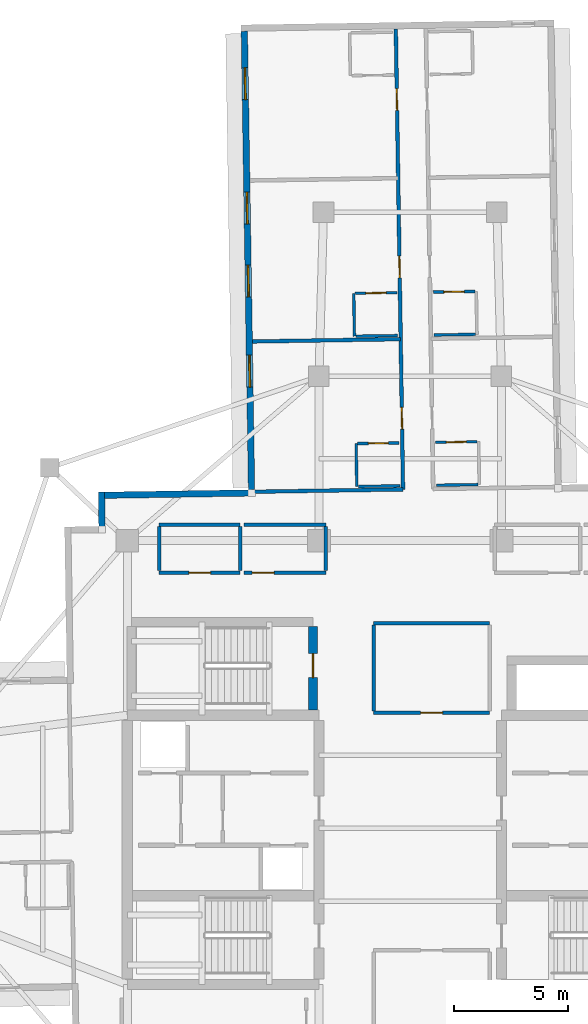
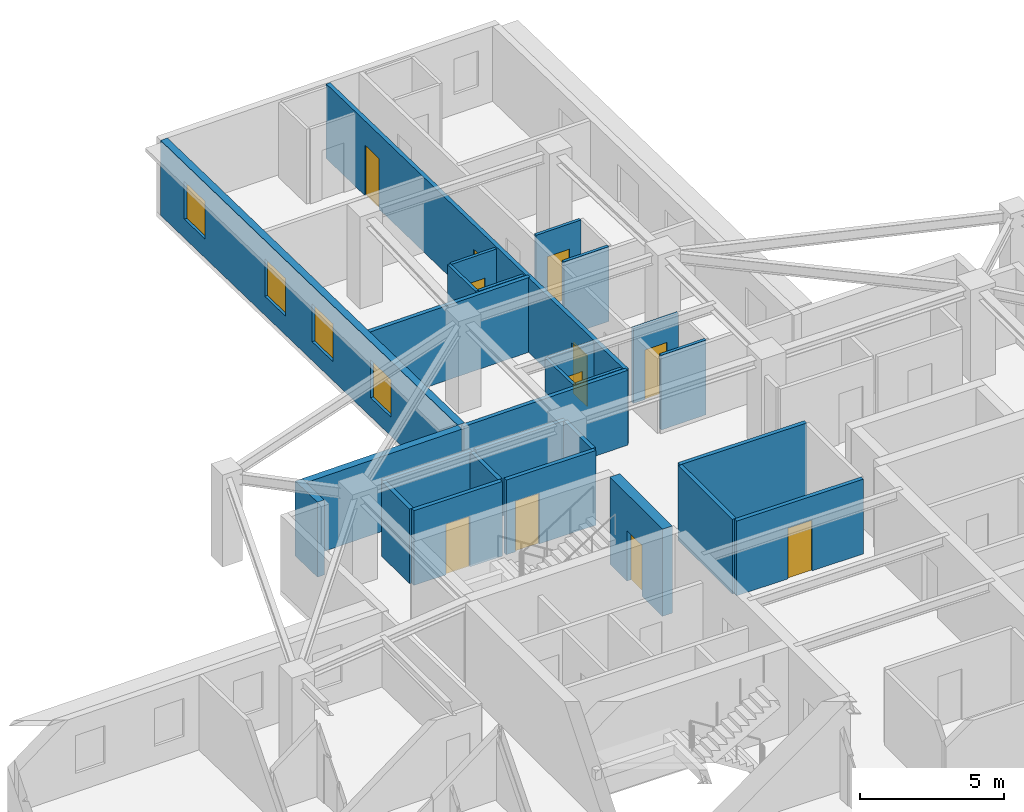
# One storey, part 7 of 13: 27 walls, 11 doors, 4 windows, 15 openings.
"""IFC4 building model written with IfcOpenShell, lengths in metres."""

import ifcopenshell
import ifcopenshell.guid

model = None  # the IFC model being written
_history = None  # IfcOwnerHistory: only IFC2X3 demands one
_inside = {}  # id of a spatial element -> (the spatial element, [elements in it])
_under = {}  # id of a project, library or spatial element -> (it, [spatial elements below it])
_declared = {}  # id of a project -> (the project, [libraries it declares])
_typed = {}  # id of a type object -> (the type object, [elements of that type])
_made_of = {}  # id of a material, layer set ... -> (it, [elements and type objects made of it])


def new_model(schema):
    """Start an empty IFC model of exactly this schema.

    Asked for "IFC4X3", IfcOpenShell would pick the latest addendum, in which some entities
    have other attributes; the version numbers below select the first issue.
    IFC2X3 requires an IfcOwnerHistory on every rooted entity: one is made here for all.
    """
    global model, _history
    if schema == "IFC4X3":
        model = ifcopenshell.file(schema_version=(4, 3, 0, 0))
    else:
        model = ifcopenshell.file(schema=schema)
    _inside.clear()
    _under.clear()
    _declared.clear()
    _typed.clear()
    _made_of.clear()
    _history = None
    if model.schema == "IFC2X3":
        org = make("IfcOrganization", Name="unknown")
        user = make(
            "IfcPersonAndOrganization",
            ThePerson=make("IfcPerson", FamilyName="unknown"),
            TheOrganization=org,
        )
        app = make(
            "IfcApplication",
            ApplicationDeveloper=org,
            Version="unknown",
            ApplicationFullName="unknown",
            ApplicationIdentifier="unknown",
        )
        _history = make(
            "IfcOwnerHistory",
            OwningUser=user,
            OwningApplication=app,
            ChangeAction="ADDED",
            CreationDate=0,
        )
    return model


def make(cls, **values):
    """One entity of the class cls with the attributes given. An attribute that is None is left unset."""
    return model.create_entity(
        cls, **{name: value for name, value in values.items() if value is not None}
    )


def rooted(cls, **values):
    """An entity with a GlobalId (a new one), such as an element, a storey or a relation."""
    return make(cls, GlobalId=ifcopenshell.guid.new(), OwnerHistory=_history, **values)


def si_unit(unit_type, name, prefix=None):
    """IfcSIUnit, for example si_unit("LENGTHUNIT", "METRE", prefix="MILLI")."""
    return make("IfcSIUnit", UnitType=unit_type, Prefix=prefix, Name=name)


def assignment(units):
    """IfcUnitAssignment: the units of a project."""
    return None if units is None else make("IfcUnitAssignment", Units=units)


def point(xyz):
    """IfcCartesianPoint."""
    return None if xyz is None else make("IfcCartesianPoint", Coordinates=xyz)


def direction(xyz):
    """IfcDirection."""
    return None if xyz is None else make("IfcDirection", DirectionRatios=xyz)


def frame(location, z_axis=None, x_axis=None):
    """IfcAxis2Placement3D, a coordinate frame: its origin and axes. An axis left out is left unset."""
    return make(
        "IfcAxis2Placement3D",
        Location=point(location),
        Axis=direction(z_axis),
        RefDirection=direction(x_axis),
    )


def frame_2d(location, x_axis=None):
    """IfcAxis2Placement2D, a coordinate frame in the plane: its origin and x axis."""
    return make(
        "IfcAxis2Placement2D", Location=point(location), RefDirection=direction(x_axis)
    )


def origin():
    """The frame at (0, 0, 0) with its axes left unset."""
    return frame((0.0, 0.0, 0.0))


def place(relative_to, where):
    """IfcLocalPlacement: puts the frame where relative to a parent placement (None: the world)."""
    return make(
        "IfcLocalPlacement", PlacementRelTo=relative_to, RelativePlacement=where
    )


def context(
    kind, dimensions, precision=None, world=None, true_north=None, identifier=None
):
    """IfcGeometricRepresentationContext, for example the 3D "Model" context."""
    return make(
        "IfcGeometricRepresentationContext",
        ContextIdentifier=identifier,
        ContextType=kind,
        CoordinateSpaceDimension=dimensions,
        Precision=precision,
        WorldCoordinateSystem=world,
        TrueNorth=true_north,
    )


def subcontext(parent, identifier, kind, view, scale=None):
    """IfcGeometricRepresentationSubContext, for example "Body" below "Model"."""
    return make(
        "IfcGeometricRepresentationSubContext",
        ContextIdentifier=identifier,
        ContextType=kind,
        ParentContext=parent,
        TargetScale=scale,
        TargetView=view,
    )


def project(units=None, contexts=None):
    """IfcProject with its units and contexts."""
    return rooted(
        "IfcProject",
        Name="project",
        RepresentationContexts=contexts,
        UnitsInContext=assignment(units),
    )


def spatial(cls, under=None, at=None, **own):
    """A site, building, storey or space (cls), placed at a placement, below another one or the project."""
    s = rooted(cls, ObjectPlacement=at, **own)
    if under is not None:
        _under.setdefault(under.id(), (under, []))[1].append(s)
    return s


def profile(cls, at=None, kind="AREA", **sizes):
    """A parametric profile (cls). Its sizes go by their IFC names, for example OverallWidth=200.0."""
    return make(cls, ProfileType=kind, Position=at, **sizes)


def rectangle(**sizes):
    """IfcRectangleProfileDef."""
    return profile("IfcRectangleProfileDef", **sizes)


def extrude(swept, where, along, depth):
    """IfcExtrudedAreaSolid: the profile swept, set in the frame where, extruded along a direction by depth."""
    return make(
        "IfcExtrudedAreaSolid",
        SweptArea=swept,
        Position=where,
        ExtrudedDirection=direction(along),
        Depth=depth,
    )


def shape(context_of_items, identifier, shape_type, items):
    """IfcShapeRepresentation: the items that make up one representation, for example the "Body"."""
    return make(
        "IfcShapeRepresentation",
        ContextOfItems=context_of_items,
        RepresentationIdentifier=identifier,
        RepresentationType=shape_type,
        Items=items,
    )


def material(Name=None, Category=None):
    """IfcMaterial."""
    return make("IfcMaterial", Name=Name, Category=Category)


def layer(
    of_material, thickness, ventilated=None, Name=None, Category=None, Priority=None
):
    """IfcMaterialLayer: one layer of a wall or slab, of a material (None: an air gap)."""
    return make(
        "IfcMaterialLayer",
        Material=of_material,
        LayerThickness=thickness,
        IsVentilated=ventilated,
        Name=Name,
        Category=Category,
        Priority=Priority,
    )


def layer_set(layers, Name=None):
    """IfcMaterialLayerSet."""
    return make("IfcMaterialLayerSet", MaterialLayers=layers, LayerSetName=Name)


def made_of(thing, what):
    """Note that an element or type object is made of a material, layer set ...; save() writes the relation."""
    if what is not None:
        _made_of.setdefault(what.id(), (what, []))[1].append(thing)
    return thing


def type_object(cls, material=None, **own):
    """A type object (cls), such as IfcWallType, which elements share."""
    return made_of(rooted(cls, **own), material)


def element(
    cls,
    number,
    at=None,
    inside=None,
    cuts=None,
    type_object=None,
    material=None,
    context=None,
    identifier="Body",
    shape_type=None,
    held_by="IfcProductDefinitionShape",
    body=None,
    shapes=None,
    **own,
):
    """One element of the class cls, such as IfcWall. Its Tag is "e" and its number.

    at: its placement. inside: the storey or other place that contains it. cuts: it is an
    opening in that element (IfcRelVoidsElement). A single representation is given by context,
    identifier, shape_type and body (its items); several are given by shapes. held_by: the class
    of the entity that holds the representations. save() writes the other relations.
    """
    e = rooted(cls, Tag="e%d" % number, ObjectPlacement=at, **own)
    if body is not None:
        shapes = [shape(context, identifier, shape_type, body)]
    if shapes is not None:
        e.Representation = make(held_by, Representations=shapes)
    if inside is not None:
        _inside.setdefault(inside.id(), (inside, []))[1].append(e)
    if cuts is not None:
        rooted(
            "IfcRelVoidsElement", RelatingBuildingElement=cuts, RelatedOpeningElement=e
        )
    if type_object is not None:
        _typed.setdefault(type_object.id(), (type_object, []))[1].append(e)
    return made_of(e, material)


def fill(opening, filler):
    """IfcRelFillsElement: the door or window that sits in an opening."""
    return rooted(
        "IfcRelFillsElement",
        RelatingOpeningElement=opening,
        RelatedBuildingElement=filler,
    )


def aggregate(whole, parts):
    """IfcRelAggregates: a whole, such as a stair, and the parts it consists of."""
    return rooted("IfcRelAggregates", RelatingObject=whole, RelatedObjects=parts)


def save(model, path):
    """Write the relations noted so far, then the file.

    IfcRelAggregates (storeys below a building ...), IfcRelContainedInSpatialStructure (elements
    in a storey), IfcRelDefinesByType, IfcRelAssociatesMaterial and IfcRelDeclares: one each for
    every whole, place, type object, material and project.
    """
    for whole, parts in _under.values():
        aggregate(whole, parts)
    for where, things in _inside.values():
        rooted(
            "IfcRelContainedInSpatialStructure",
            RelatedElements=things,
            RelatingStructure=where,
        )
    for kind, things in _typed.values():
        rooted("IfcRelDefinesByType", RelatedObjects=things, RelatingType=kind)
    for what, things in _made_of.values():
        rooted("IfcRelAssociatesMaterial", RelatedObjects=things, RelatingMaterial=what)
    for by, libraries in _declared.values():
        rooted("IfcRelDeclares", RelatingContext=by, RelatedDefinitions=libraries)
    model.write(path)


model = new_model("IFC4")

# Units and contexts
model_context = context("Model", 3, precision=1e-05, world=origin(), true_north=direction((0.0, 1.0)))
body_context = subcontext(model_context, "Body", "Model", "MODEL_VIEW")
ifc_project = project(units=[si_unit("LENGTHUNIT", "METRE"), si_unit("AREAUNIT", "SQUARE_METRE"), si_unit("VOLUMEUNIT", "CUBIC_METRE"), si_unit("PLANEANGLEUNIT", "RADIAN"), si_unit("MASSUNIT", "GRAM", prefix="KILO")], contexts=[model_context])

# Site, building, storey
site_placement = place(None, origin())
site = spatial("IfcSite", under=ifc_project, at=site_placement, CompositionType="ELEMENT")
building_placement = place(site_placement, origin())
building = spatial("IfcBuilding", under=site, at=building_placement, Name="Qingluan Cross Belvedere", CompositionType="ELEMENT")
storey_placement = place(building_placement, frame((0.0, 0.0, 220.800048828125)))
storey = spatial("IfcBuildingStorey", under=building, at=storey_placement, Name="L55", CompositionType="ELEMENT", Elevation=220.800048828125)

# Wall, opening, door
ifc_material_1 = material(Name="Concrete C50", Category="concrete")
ifc_layer_1 = layer(ifc_material_1, 0.449951171875, Name="CoreShearWall_450")
ifc_layer_set_1 = layer_set([ifc_layer_1], Name="Concrete C50")
wall_type_1 = type_object("IfcWallType", Name="CoreShearWall_450", PredefinedType="SHEAR", material=ifc_layer_set_1)
wall_1_placement = place(storey_placement, frame((-4.260009765625, 5.179931640625, 0.0), z_axis=(0.0, 0.0, 1.0), x_axis=(0.0, 1.0, 0.0)))
wall_1 = element("IfcWall", 1, at=wall_1_placement, inside=storey, type_object=wall_type_1, Name="Stair ST3 structural wall E L55", PredefinedType="SHEAR", context=body_context, shape_type="SweptSolid", body=[
    extrude(rectangle(XDim=3.655029296875, YDim=0.39990234375, at=frame_2d((1.82763671875, 0.0))), origin(), (0.0, 0.0, 1.0), 3.699951171875),
])
opening_1_placement = place(wall_1_placement, frame((1.419921875, 0.0, 0.0)))
opening_1 = element("IfcOpeningElement", 2, at=opening_1_placement, cuts=wall_1, Name="Opening FD-B11", PredefinedType="OPENING", context=body_context, shape_type="SweptSolid", body=[
    extrude(rectangle(XDim=1.050048828125, YDim=2.14990234375, at=frame_2d((0.52490234375, 1.074951171875))), frame((0.0, 0.2099609375, 0.0), z_axis=(0.0, -1.0, 0.0), x_axis=(1.0, 0.0, 0.0)), (0.0, 0.0, 1.0), 0.419921875),
])
ifc_material_2 = material(Name="Steel Class B smoke-seal fire door", Category="steel")
door_type_1 = type_object("IfcDoorType", Name="StairLobbyFireDoor_FDB", OperationType="NOTDEFINED", PredefinedType="DOOR", material=ifc_material_2)
door_1_placement = place(opening_1_placement, origin())
door_1 = element("IfcDoor", 3, at=door_1_placement, inside=storey, type_object=door_type_1, Name="Smoke-proof stair ST3 fire door L55", OperationType="SINGLE_SWING_LEFT", OverallHeight=2.14990234375, OverallWidth=1.050048828125, PredefinedType="DOOR", context=body_context, shape_type="SweptSolid", body=[
    extrude(rectangle(XDim=1.050048828125, YDim=2.14990234375, at=frame_2d((0.52490234375, 1.074951171875))), frame((0.0, 0.02490234375, 0.0), z_axis=(0.0, -1.0, 0.0), x_axis=(1.0, 0.0, 0.0)), (0.0, 0.0, 1.0), 0.050048828125),
])
fill(opening_1, door_1)

ifc_material_3 = material(Name="Gypsum plasterboard on steel stud acoustic partition", Category="steel")
ifc_layer_2 = layer(ifc_material_3, 0.159912109375, Name="CorridorPartition_160")
ifc_layer_set_2 = layer_set([ifc_layer_2], Name="Gypsum plasterboard on steel stud acoustic partition")
wall_type_2 = type_object("IfcWallType", Name="CorridorPartition_160", PredefinedType="PARTITIONING", material=ifc_layer_set_2)
wall_2_placement = place(storey_placement, frame((-11.0, 11.199951171875, 0.0), z_axis=(0.0, 0.0, 1.0), x_axis=(1.0, 0.0, 0.0)))
wall_2 = element("IfcWall", 4, at=wall_2_placement, inside=storey, type_object=wall_type_2, Name="Partition L55:q_nw1:S", PredefinedType="PARTITIONING", context=body_context, shape_type="SweptSolid", body=[
    extrude(rectangle(XDim=3.550048828125, YDim=0.159912109375, at=frame_2d((1.77490234375, 0.0))), origin(), (0.0, 0.0, 1.0), 3.169921875),
])
opening_2_placement = place(wall_2_placement, frame((1.294921875, 0.0, 0.0)))
opening_2 = element("IfcOpeningElement", 5, at=opening_2_placement, cuts=wall_2, Name="Opening GD-10", PredefinedType="OPENING", context=body_context, shape_type="SweptSolid", body=[
    extrude(rectangle(XDim=0.9599609375, YDim=2.14990234375, at=frame_2d((0.47998046875, 1.074951171875))), frame((0.0, 0.08984375, 0.0), z_axis=(0.0, -1.0, 0.0), x_axis=(1.0, 0.0, 0.0)), (0.0, 0.0, 1.0), 0.179931640625),
])
ifc_material_4 = material(Name="Timber oak fire-rated acoustic guestroom door", Category="wood")
door_type_2 = type_object("IfcDoorType", Name="GuestEntryDoor_FD60", OperationType="NOTDEFINED", PredefinedType="DOOR", material=ifc_material_4)
door_2_placement = place(opening_2_placement, origin())
door_2 = element("IfcDoor", 6, at=door_2_placement, inside=storey, type_object=door_type_2, Name="Northwest sky parlor L55 door", OperationType="SINGLE_SWING_RIGHT", OverallHeight=2.14990234375, OverallWidth=0.9599609375, PredefinedType="DOOR", context=body_context, shape_type="SweptSolid", body=[
    extrude(rectangle(XDim=0.9599609375, YDim=2.14990234375, at=frame_2d((0.47998046875, 1.074951171875))), frame((0.0, 0.02490234375, 0.0), z_axis=(0.0, -1.0, 0.0), x_axis=(1.0, 0.0, 0.0)), (0.0, 0.0, 1.0), 0.050048828125),
])
fill(opening_2, door_2)

# Walls
wall_3_placement = place(storey_placement, frame((-11.0, 13.300048828125, 0.0), z_axis=(0.0, 0.0, 1.0), x_axis=(1.0, 0.0, 0.0)))
element("IfcWall", 7, at=wall_3_placement, inside=storey, type_object=wall_type_2, Name="Partition L55:q_nw1:N", PredefinedType="PARTITIONING", context=body_context, shape_type="SweptSolid", body=[
    extrude(rectangle(XDim=3.550048828125, YDim=0.159912109375, at=frame_2d((1.77490234375, 0.0))), origin(), (0.0, 0.0, 1.0), 3.169921875),
])
for number, where, z_axis, x_axis, name in (
    (8, (-11.0, 11.284912109375, 0.0), (0.0, 0.0, 1.0), (0.0, 1.0, 0.0), "Partition L55:q_nw1:W"),
    (9, (-7.449951171875, 11.284912109375, 0.0), (0.0, 0.0, 1.0), (0.0, 1.0, 0.0), "Partition L55:q_nw1:E"),
):
    element("IfcWall", number, at=place(storey_placement, frame(where, z_axis=z_axis, x_axis=x_axis)), inside=storey, type_object=wall_type_2, Name=name, PredefinedType="PARTITIONING", context=body_context, shape_type="SweptSolid", body=[
        extrude(rectangle(XDim=1.93017578125, YDim=0.159912109375, at=frame_2d((0.965087890625, 0.0))), origin(), (0.0, 0.0, 1.0), 3.169921875),
    ])

# Wall, opening, door
wall_4_placement = place(storey_placement, frame((-7.2900390625, 11.199951171875, 0.0), z_axis=(0.0, 0.0, 1.0), x_axis=(1.0, 0.0, 0.0)))
wall_4 = element("IfcWall", 10, at=wall_4_placement, inside=storey, type_object=wall_type_2, Name="Partition L55:q_nw2:S", PredefinedType="PARTITIONING", context=body_context, shape_type="SweptSolid", body=[
    extrude(rectangle(XDim=3.590087890625, YDim=0.159912109375, at=frame_2d((1.794921875, 0.0))), origin(), (0.0, 0.0, 1.0), 3.169921875),
])
opening_3_placement = place(wall_4_placement, frame((0.364990234375, 0.0, 0.0)))
opening_3 = element("IfcOpeningElement", 11, at=opening_3_placement, cuts=wall_4, Name="Opening GD-10", PredefinedType="OPENING", context=body_context, shape_type="SweptSolid", body=[
    extrude(rectangle(XDim=0.9599609375, YDim=2.14990234375, at=frame_2d((0.47998046875, 1.074951171875))), frame((0.0, 0.08984375, 0.0), z_axis=(0.0, -1.0, 0.0), x_axis=(1.0, 0.0, 0.0)), (0.0, 0.0, 1.0), 0.179931640625),
])
door_3_placement = place(opening_3_placement, origin())
door_3 = element("IfcDoor", 12, at=door_3_placement, inside=storey, type_object=door_type_2, Name="Northwest study salon L55 door", OperationType="SINGLE_SWING_LEFT", OverallHeight=2.14990234375, OverallWidth=0.9599609375, PredefinedType="DOOR", context=body_context, shape_type="SweptSolid", body=[
    extrude(rectangle(XDim=0.9599609375, YDim=2.14990234375, at=frame_2d((0.47998046875, 1.074951171875))), frame((0.0, 0.02490234375, 0.0), z_axis=(0.0, -1.0, 0.0), x_axis=(1.0, 0.0, 0.0)), (0.0, 0.0, 1.0), 0.050048828125),
])
fill(opening_3, door_3)

# Walls
wall_5_placement = place(storey_placement, frame((-7.2900390625, 13.300048828125, 0.0), z_axis=(0.0, 0.0, 1.0), x_axis=(1.0, 0.0, 0.0)))
element("IfcWall", 13, at=wall_5_placement, inside=storey, type_object=wall_type_2, Name="Partition L55:q_nw2:N", PredefinedType="PARTITIONING", context=body_context, shape_type="SweptSolid", body=[
    extrude(rectangle(XDim=3.590087890625, YDim=0.159912109375, at=frame_2d((1.794921875, 0.0))), origin(), (0.0, 0.0, 1.0), 3.169921875),
])
wall_6_placement = place(storey_placement, frame((-3.699951171875, 11.284912109375, 0.0), z_axis=(0.0, 0.0, 1.0), x_axis=(0.0, 1.0, 0.0)))
element("IfcWall", 14, at=wall_6_placement, inside=storey, type_object=wall_type_2, Name="Partition L55:q_nw2:E", PredefinedType="PARTITIONING", context=body_context, shape_type="SweptSolid", body=[
    extrude(rectangle(XDim=1.93017578125, YDim=0.159912109375, at=frame_2d((0.965087890625, 0.0))), origin(), (0.0, 0.0, 1.0), 3.169921875),
])

# Wall, opening, door
wall_7_placement = place(storey_placement, frame((-1.60009765625, 5.050048828125, 0.0), z_axis=(0.0, 0.0, 1.0), x_axis=(1.0, 0.0, 0.0)))
wall_7 = element("IfcWall", 15, at=wall_7_placement, inside=storey, type_object=wall_type_2, Name="Partition L55:sky_tea_alcove:S", PredefinedType="PARTITIONING", context=body_context, shape_type="SweptSolid", body=[
    extrude(rectangle(XDim=5.080078125, YDim=0.159912109375, at=frame_2d((2.5400390625, 0.0))), origin(), (0.0, 0.0, 1.0), 3.169921875),
])
opening_4_placement = place(wall_7_placement, frame((2.06005859375, 0.0, 0.0)))
opening_4 = element("IfcOpeningElement", 16, at=opening_4_placement, cuts=wall_7, Name="Opening GD-10", PredefinedType="OPENING", context=body_context, shape_type="SweptSolid", body=[
    extrude(rectangle(XDim=0.9599609375, YDim=2.14990234375, at=frame_2d((0.47998046875, 1.074951171875))), frame((0.0, 0.08984375, 0.0), z_axis=(0.0, -1.0, 0.0), x_axis=(1.0, 0.0, 0.0)), (0.0, 0.0, 1.0), 0.179931640625),
])
door_4_placement = place(opening_4_placement, origin())
door_4 = element("IfcDoor", 17, at=door_4_placement, inside=storey, type_object=door_type_2, Name="Sky horizon tea salon L55 door", OperationType="SINGLE_SWING_LEFT", OverallHeight=2.14990234375, OverallWidth=0.9599609375, PredefinedType="DOOR", context=body_context, shape_type="SweptSolid", body=[
    extrude(rectangle(XDim=0.9599609375, YDim=2.14990234375, at=frame_2d((0.47998046875, 1.074951171875))), frame((0.0, 0.02490234375, 0.0), z_axis=(0.0, -1.0, 0.0), x_axis=(1.0, 0.0, 0.0)), (0.0, 0.0, 1.0), 0.050048828125),
])
fill(opening_4, door_4)

# Walls
wall_8_placement = place(storey_placement, frame((-1.60009765625, 8.97998046875, 0.0), z_axis=(0.0, 0.0, 1.0), x_axis=(1.0, 0.0, 0.0)))
element("IfcWall", 18, at=wall_8_placement, inside=storey, type_object=wall_type_2, Name="Partition L55:sky_tea_alcove:N", PredefinedType="PARTITIONING", context=body_context, shape_type="SweptSolid", body=[
    extrude(rectangle(XDim=5.080078125, YDim=0.159912109375, at=frame_2d((2.5400390625, 0.0))), origin(), (0.0, 0.0, 1.0), 3.169921875),
])
wall_9_placement = place(storey_placement, frame((-1.60009765625, 5.135009765625, 0.0), z_axis=(0.0, 0.0, 1.0), x_axis=(0.0, 1.0, 0.0)))
element("IfcWall", 19, at=wall_9_placement, inside=storey, type_object=wall_type_2, Name="Partition L55:sky_tea_alcove:W", PredefinedType="PARTITIONING", context=body_context, shape_type="SweptSolid", body=[
    extrude(rectangle(XDim=3.760009765625, YDim=0.159912109375, at=frame_2d((1.8798828125, 0.0))), origin(), (0.0, 0.0, 1.0), 3.169921875),
])

# Wall, openings, doors
wall_10_placement = place(storey_placement, frame((-0.313232421875, 14.846923828125, 0.0), z_axis=(0.0, 0.0, 1.0), x_axis=(-0.015713987169, 0.999876527681, 0.0)))
wall_10 = element("IfcWall", 20, at=wall_10_placement, inside=storey, type_object=wall_type_2, Name="Partition L55:N:c1", PredefinedType="PARTITIONING", context=body_context, shape_type="SweptSolid", body=[
    extrude(rectangle(XDim=20.181884765625, YDim=0.159912109375, at=frame_2d((10.0908203125, 0.0))), origin(), (0.0, 0.0, 1.0), 3.169921875),
])
opening_5_placement = place(wall_10_placement, frame((2.638916015625, 0.0, 0.0)))
opening_5 = element("IfcOpeningElement", 21, at=opening_5_placement, cuts=wall_10, Name="Opening GD-10", PredefinedType="OPENING", context=body_context, shape_type="SweptSolid", body=[
    extrude(rectangle(XDim=0.9599609375, YDim=2.14990234375, at=frame_2d((0.47998046875, 1.074951171875))), frame((0.0, 0.08984375, 0.0), z_axis=(0.0, -1.0, 0.0), x_axis=(1.0, 0.0, 0.0)), (0.0, 0.0, 1.0), 0.179931640625),
])
opening_6_placement = place(wall_10_placement, frame((9.27294921875, 0.0, 0.0)))
opening_6 = element("IfcOpeningElement", 22, at=opening_6_placement, cuts=wall_10, Name="Opening GD-10", PredefinedType="OPENING", context=body_context, shape_type="SweptSolid", body=[
    extrude(rectangle(XDim=0.9599609375, YDim=2.14990234375, at=frame_2d((0.47998046875, 1.074951171875))), frame((0.0, 0.08984375, 0.0), z_axis=(0.0, -1.0, 0.0), x_axis=(1.0, 0.0, 0.0)), (0.0, 0.0, 1.0), 0.179931640625),
])
opening_7_placement = place(wall_10_placement, frame((16.614013671875, 0.0, 0.0)))
opening_7 = element("IfcOpeningElement", 23, at=opening_7_placement, cuts=wall_10, Name="Opening GD-10", PredefinedType="OPENING", context=body_context, shape_type="SweptSolid", body=[
    extrude(rectangle(XDim=0.9599609375, YDim=2.14990234375, at=frame_2d((0.47998046875, 1.074951171875))), frame((0.0, 0.08984375, 0.0), z_axis=(0.0, -1.0, 0.0), x_axis=(1.0, 0.0, 0.0)), (0.0, 0.0, 1.0), 0.179931640625),
])
door_5_placement = place(opening_5_placement, origin())
door_5 = element("IfcDoor", 24, at=door_5_placement, inside=storey, type_object=door_type_2, Name="Guest entry fire door 5512", OperationType="SINGLE_SWING_LEFT", OverallHeight=2.14990234375, OverallWidth=0.9599609375, PredefinedType="DOOR", context=body_context, shape_type="SweptSolid", body=[
    extrude(rectangle(XDim=0.9599609375, YDim=2.14990234375, at=frame_2d((0.47998046875, 1.074951171875))), frame((0.0, 0.02490234375, 0.0), z_axis=(0.0, -1.0, 0.0), x_axis=(1.0, 0.0, 0.0)), (0.0, 0.0, 1.0), 0.050048828125),
])
fill(opening_5, door_5)
door_6_placement = place(opening_6_placement, origin())
door_6 = element("IfcDoor", 25, at=door_6_placement, inside=storey, type_object=door_type_2, Name="Guest entry fire door 5513", OperationType="SINGLE_SWING_LEFT", OverallHeight=2.14990234375, OverallWidth=0.9599609375, PredefinedType="DOOR", context=body_context, shape_type="SweptSolid", body=[
    extrude(rectangle(XDim=0.9599609375, YDim=2.14990234375, at=frame_2d((0.47998046875, 1.074951171875))), frame((0.0, 0.02490234375, 0.0), z_axis=(0.0, -1.0, 0.0), x_axis=(1.0, 0.0, 0.0)), (0.0, 0.0, 1.0), 0.050048828125),
])
fill(opening_6, door_6)
door_7_placement = place(opening_7_placement, origin())
door_7 = element("IfcDoor", 26, at=door_7_placement, inside=storey, type_object=door_type_2, Name="Guest entry fire door 5514", OperationType="SINGLE_SWING_LEFT", OverallHeight=2.14990234375, OverallWidth=0.9599609375, PredefinedType="DOOR", context=body_context, shape_type="SweptSolid", body=[
    extrude(rectangle(XDim=0.9599609375, YDim=2.14990234375, at=frame_2d((0.47998046875, 1.074951171875))), frame((0.0, 0.02490234375, 0.0), z_axis=(0.0, -1.0, 0.0), x_axis=(1.0, 0.0, 0.0)), (0.0, 0.0, 1.0), 0.050048828125),
])
fill(opening_7, door_7)

# Walls
wall_11_placement = place(storey_placement, frame((-0.313232421875, 14.846923828125, 0.0), z_axis=(0.0, 0.0, 1.0), x_axis=(-0.999876746497, -0.015700057761, 0.0)))
element("IfcWall", 27, at=wall_11_placement, inside=storey, type_object=wall_type_2, Name="Partition L55:N:s1", PredefinedType="PARTITIONING", context=body_context, shape_type="SweptSolid", body=[
    extrude(rectangle(XDim=6.639892578125, YDim=0.159912109375, at=frame_2d((3.31982421875, 0.0))), origin(), (0.0, 0.0, 1.0), 3.169921875),
])
wall_12_placement = place(storey_placement, frame((-0.416748046875, 21.43310546875, 0.0), z_axis=(0.0, 0.0, 1.0), x_axis=(-0.999876442039, -0.015719435564, 0.0)))
element("IfcWall", 28, at=wall_12_placement, inside=storey, type_object=wall_type_2, Name="Partition L55:N:d1_0", PredefinedType="PARTITIONING", context=body_context, shape_type="SweptSolid", body=[
    extrude(rectangle(XDim=6.491943359375, YDim=0.159912109375, at=frame_2d((3.24609375, 0.0))), origin(), (0.0, 0.0, 1.0), 3.169921875),
])

# Wall, opening, door
ifc_material_5 = material(Name="Moisture-resistant gypsum board lining")
ifc_layer_3 = layer(ifc_material_5, 0.1201171875, Name="EnsuiteWetPartition_120")
ifc_layer_set_3 = layer_set([ifc_layer_3], Name="Moisture-resistant gypsum board lining")
wall_type_3 = type_object("IfcWallType", Name="EnsuiteWetPartition_120", PredefinedType="PARTITIONING", material=ifc_layer_set_3)
wall_13_placement = place(storey_placement, frame((1.114501953125, 16.90966796875, 0.0), z_axis=(0.0, 0.0, 1.0), x_axis=(0.999876836305, 0.015694337248, 0.0)))
wall_13 = element("IfcWall", 29, at=wall_13_placement, inside=storey, type_object=wall_type_3, Name="Partition L55:N:bs0_0", PredefinedType="PARTITIONING", context=body_context, shape_type="SweptSolid", body=[
    extrude(rectangle(XDim=1.820068359375, YDim=0.1201171875, at=frame_2d((0.91015625, 0.0))), origin(), (0.0, 0.0, 1.0), 3.169921875),
])
opening_8_placement = place(wall_13_placement, frame((0.469970703125, 0.0, 0.0)))
opening_8 = element("IfcOpeningElement", 30, at=opening_8_placement, cuts=wall_13, Name="Opening BD-09", PredefinedType="OPENING", context=body_context, shape_type="SweptSolid", body=[
    extrude(rectangle(XDim=0.8798828125, YDim=2.10009765625, at=frame_2d((0.43994140625, 1.050048828125))), frame((0.0, 0.070068359375, 0.0), z_axis=(0.0, -1.0, 0.0), x_axis=(1.0, 0.0, 0.0)), (0.0, 0.0, 1.0), 0.14013671875),
])
ifc_material_6 = material(Name="Moisture-sealed timber en-suite door", Category="wood")
door_type_3 = type_object("IfcDoorType", Name="BathroomDoor_880", OperationType="NOTDEFINED", PredefinedType="DOOR", material=ifc_material_6)
door_8_placement = place(opening_8_placement, origin())
door_8 = element("IfcDoor", 31, at=door_8_placement, inside=storey, type_object=door_type_3, Name="Bathroom door 5509", OperationType="SINGLE_SWING_RIGHT", OverallHeight=2.10009765625, OverallWidth=0.8798828125, PredefinedType="DOOR", context=body_context, shape_type="SweptSolid", body=[
    extrude(rectangle(XDim=0.8798828125, YDim=2.10009765625, at=frame_2d((0.43994140625, 1.050048828125))), frame((0.0, 0.02490234375, 0.0), z_axis=(0.0, -1.0, 0.0), x_axis=(1.0, 0.0, 0.0)), (0.0, 0.0, 1.0), 0.050048828125),
])
fill(opening_8, door_8)

# Wall
wall_14_placement = place(storey_placement, frame((1.14404296875, 15.02978515625, 0.0), z_axis=(0.0, 0.0, 1.0), x_axis=(0.999876836305, 0.015694337248, 0.0)))
element("IfcWall", 32, at=wall_14_placement, inside=storey, type_object=wall_type_3, Name="Partition L55:N:bw0_0", PredefinedType="PARTITIONING", context=body_context, shape_type="SweptSolid", body=[
    extrude(rectangle(XDim=1.820068359375, YDim=0.1201171875, at=frame_2d((0.91015625, 0.0))), origin(), (0.0, 0.0, 1.0), 3.169921875),
])

# Wall, opening, door
wall_15_placement = place(storey_placement, frame((1.010986328125, 23.495849609375, 0.0), z_axis=(0.0, 0.0, 1.0), x_axis=(0.999876836305, 0.015694337248, 0.0)))
wall_15 = element("IfcWall", 33, at=wall_15_placement, inside=storey, type_object=wall_type_3, Name="Partition L55:N:bs0_1", PredefinedType="PARTITIONING", context=body_context, shape_type="SweptSolid", body=[
    extrude(rectangle(XDim=1.820068359375, YDim=0.1201171875, at=frame_2d((0.91015625, 0.0))), origin(), (0.0, 0.0, 1.0), 3.169921875),
])
opening_9_placement = place(wall_15_placement, frame((0.469970703125, 0.0, 0.0)))
opening_9 = element("IfcOpeningElement", 34, at=opening_9_placement, cuts=wall_15, Name="Opening BD-09", PredefinedType="OPENING", context=body_context, shape_type="SweptSolid", body=[
    extrude(rectangle(XDim=0.8798828125, YDim=2.10009765625, at=frame_2d((0.43994140625, 1.050048828125))), frame((0.0, 0.070068359375, 0.0), z_axis=(0.0, -1.0, 0.0), x_axis=(1.0, 0.0, 0.0)), (0.0, 0.0, 1.0), 0.14013671875),
])
door_9_placement = place(opening_9_placement, origin())
door_9 = element("IfcDoor", 35, at=door_9_placement, inside=storey, type_object=door_type_3, Name="Bathroom door 5510", OperationType="SINGLE_SWING_RIGHT", OverallHeight=2.10009765625, OverallWidth=0.8798828125, PredefinedType="DOOR", context=body_context, shape_type="SweptSolid", body=[
    extrude(rectangle(XDim=0.8798828125, YDim=2.10009765625, at=frame_2d((0.43994140625, 1.050048828125))), frame((0.0, 0.02490234375, 0.0), z_axis=(0.0, -1.0, 0.0), x_axis=(1.0, 0.0, 0.0)), (0.0, 0.0, 1.0), 0.050048828125),
])
fill(opening_9, door_9)

# Wall
wall_16_placement = place(storey_placement, frame((1.04052734375, 21.615966796875, 0.0), z_axis=(0.0, 0.0, 1.0), x_axis=(0.999876836305, 0.015694337248, 0.0)))
element("IfcWall", 36, at=wall_16_placement, inside=storey, type_object=wall_type_3, Name="Partition L55:N:bw0_1", PredefinedType="PARTITIONING", context=body_context, shape_type="SweptSolid", body=[
    extrude(rectangle(XDim=1.820068359375, YDim=0.1201171875, at=frame_2d((0.91015625, 0.0))), origin(), (0.0, 0.0, 1.0), 3.169921875),
])

# Wall, opening, door
wall_17_placement = place(storey_placement, frame((-2.304931640625, 16.85595703125, 0.0), z_axis=(0.0, 0.0, 1.0), x_axis=(0.999876803258, 0.015696442504, 0.0)))
wall_17 = element("IfcWall", 37, at=wall_17_placement, inside=storey, type_object=wall_type_3, Name="Partition L55:N:bs1_0", PredefinedType="PARTITIONING", context=body_context, shape_type="SweptSolid", body=[
    extrude(rectangle(XDim=1.81982421875, YDim=0.1201171875, at=frame_2d((0.909912109375, 0.0))), origin(), (0.0, 0.0, 1.0), 3.169921875),
])
opening_10_placement = place(wall_17_placement, frame((0.469970703125, 0.0, 0.0)))
opening_10 = element("IfcOpeningElement", 38, at=opening_10_placement, cuts=wall_17, Name="Opening BD-09", PredefinedType="OPENING", context=body_context, shape_type="SweptSolid", body=[
    extrude(rectangle(XDim=0.8798828125, YDim=2.10009765625, at=frame_2d((0.43994140625, 1.050048828125))), frame((0.0, 0.070068359375, 0.0), z_axis=(0.0, -1.0, 0.0), x_axis=(1.0, 0.0, 0.0)), (0.0, 0.0, 1.0), 0.14013671875),
])
door_10_placement = place(opening_10_placement, origin())
door_10 = element("IfcDoor", 39, at=door_10_placement, inside=storey, type_object=door_type_3, Name="Bathroom door 5512", OperationType="SINGLE_SWING_RIGHT", OverallHeight=2.10009765625, OverallWidth=0.8798828125, PredefinedType="DOOR", context=body_context, shape_type="SweptSolid", body=[
    extrude(rectangle(XDim=0.8798828125, YDim=2.10009765625, at=frame_2d((0.43994140625, 1.050048828125))), frame((0.0, 0.02490234375, 0.0), z_axis=(0.0, -1.0, 0.0), x_axis=(1.0, 0.0, 0.0)), (0.0, 0.0, 1.0), 0.050048828125),
])
fill(opening_10, door_10)

# Walls
wall_18_placement = place(storey_placement, frame((-2.275390625, 14.97607421875, 0.0), z_axis=(0.0, 0.0, 1.0), x_axis=(0.999876803258, 0.015696442504, 0.0)))
element("IfcWall", 40, at=wall_18_placement, inside=storey, type_object=wall_type_3, Name="Partition L55:N:bw1_0", PredefinedType="PARTITIONING", context=body_context, shape_type="SweptSolid", body=[
    extrude(rectangle(XDim=1.81982421875, YDim=0.1201171875, at=frame_2d((0.909912109375, 0.0))), origin(), (0.0, 0.0, 1.0), 3.169921875),
])
wall_19_placement = place(storey_placement, frame((-2.340576171875, 14.97509765625, 0.0), z_axis=(0.0, 0.0, 1.0), x_axis=(-0.01571234584, 0.999876553475, 0.0)))
element("IfcWall", 41, at=wall_19_placement, inside=storey, type_object=wall_type_3, Name="Partition L55:N:bc1_0", PredefinedType="PARTITIONING", context=body_context, shape_type="SweptSolid", body=[
    extrude(rectangle(XDim=1.880126953125, YDim=0.1201171875, at=frame_2d((0.93994140625, 0.0))), origin(), (0.0, 0.0, 1.0), 3.169921875),
])

# Wall, opening, door
wall_20_placement = place(storey_placement, frame((-2.408447265625, 23.442138671875, 0.0), z_axis=(0.0, 0.0, 1.0), x_axis=(0.999876836305, 0.015694337248, 0.0)))
wall_20 = element("IfcWall", 42, at=wall_20_placement, inside=storey, type_object=wall_type_3, Name="Partition L55:N:bs1_1", PredefinedType="PARTITIONING", context=body_context, shape_type="SweptSolid", body=[
    extrude(rectangle(XDim=1.820068359375, YDim=0.1201171875, at=frame_2d((0.91015625, 0.0))), origin(), (0.0, 0.0, 1.0), 3.169921875),
])
opening_11_placement = place(wall_20_placement, frame((0.469970703125, 0.0, 0.0)))
opening_11 = element("IfcOpeningElement", 43, at=opening_11_placement, cuts=wall_20, Name="Opening BD-09", PredefinedType="OPENING", context=body_context, shape_type="SweptSolid", body=[
    extrude(rectangle(XDim=0.8798828125, YDim=2.10009765625, at=frame_2d((0.43994140625, 1.050048828125))), frame((0.0, 0.070068359375, 0.0), z_axis=(0.0, -1.0, 0.0), x_axis=(1.0, 0.0, 0.0)), (0.0, 0.0, 1.0), 0.14013671875),
])
door_11_placement = place(opening_11_placement, origin())
door_11 = element("IfcDoor", 44, at=door_11_placement, inside=storey, type_object=door_type_3, Name="Bathroom door 5513", OperationType="SINGLE_SWING_RIGHT", OverallHeight=2.10009765625, OverallWidth=0.8798828125, PredefinedType="DOOR", context=body_context, shape_type="SweptSolid", body=[
    extrude(rectangle(XDim=0.8798828125, YDim=2.10009765625, at=frame_2d((0.43994140625, 1.050048828125))), frame((0.0, 0.02490234375, 0.0), z_axis=(0.0, -1.0, 0.0), x_axis=(1.0, 0.0, 0.0)), (0.0, 0.0, 1.0), 0.050048828125),
])
fill(opening_11, door_11)

# Walls
wall_21_placement = place(storey_placement, frame((-2.37890625, 21.562255859375, 0.0), z_axis=(0.0, 0.0, 1.0), x_axis=(0.999876836305, 0.015694337248, 0.0)))
element("IfcWall", 45, at=wall_21_placement, inside=storey, type_object=wall_type_3, Name="Partition L55:N:bw1_1", PredefinedType="PARTITIONING", context=body_context, shape_type="SweptSolid", body=[
    extrude(rectangle(XDim=1.820068359375, YDim=0.1201171875, at=frame_2d((0.91015625, 0.0))), origin(), (0.0, 0.0, 1.0), 3.169921875),
])
wall_22_placement = place(storey_placement, frame((-2.444091796875, 21.561279296875, 0.0), z_axis=(0.0, 0.0, 1.0), x_axis=(-0.01558454688, 0.999878553575, 0.0)))
element("IfcWall", 46, at=wall_22_placement, inside=storey, type_object=wall_type_3, Name="Partition L55:N:bc1_1", PredefinedType="PARTITIONING", context=body_context, shape_type="SweptSolid", body=[
    extrude(rectangle(XDim=1.8798828125, YDim=0.1201171875, at=frame_2d((0.93994140625, 0.0))), origin(), (0.0, 0.0, 1.0), 3.169921875),
])

# Wall, openings, windows
ifc_material_7 = material(Name="Precast concrete C45", Category="concrete")
ifc_layer_4 = layer(ifc_material_7, 0.280029296875, Name="PrecastFacadeWall_280")
ifc_layer_set_4 = layer_set([ifc_layer_4], Name="Precast concrete C45")
wall_type_4 = type_object("IfcWallType", Name="PrecastFacadeWall_280", PredefinedType="STANDARD", material=ifc_layer_set_4)
wall_23_placement = place(storey_placement, frame((-7.26953125, 34.93017578125, 0.0), z_axis=(0.0, 0.0, 1.0), x_axis=(0.015705059908, -0.999876667941, 0.0)))
wall_23 = element("IfcWall", 47, at=wall_23_placement, inside=storey, type_object=wall_type_4, Name="Facade wall L55-NB", PredefinedType="STANDARD", context=body_context, shape_type="SweptSolid", body=[
    extrude(rectangle(XDim=20.10009765625, YDim=0.280029296875, at=frame_2d((10.050048828125, 0.0))), origin(), (0.0, 0.0, 1.0), 3.179931640625),
])
opening_12_placement = place(wall_23_placement, frame((1.60009765625, 0.0, 0.800048828125)))
opening_12 = element("IfcOpeningElement", 48, at=opening_12_placement, cuts=wall_23, Name="Opening W-01", PredefinedType="OPENING", context=body_context, shape_type="SweptSolid", body=[
    extrude(rectangle(XDim=1.39990234375, YDim=1.60009765625, at=frame_2d((0.699951171875, 0.800048828125))), frame((0.0, 0.14990234375, 0.0), z_axis=(0.0, -1.0, 0.0), x_axis=(1.0, 0.0, 0.0)), (0.0, 0.0, 1.0), 0.300048828125),
])
opening_13_placement = place(wall_23_placement, frame((7.050048828125, 0.0, 0.800048828125)))
opening_13 = element("IfcOpeningElement", 49, at=opening_13_placement, cuts=wall_23, Name="Opening W-01", PredefinedType="OPENING", context=body_context, shape_type="SweptSolid", body=[
    extrude(rectangle(XDim=1.39990234375, YDim=1.60009765625, at=frame_2d((0.699951171875, 0.800048828125))), frame((0.0, 0.14990234375, 0.0), z_axis=(0.0, -1.0, 0.0), x_axis=(1.0, 0.0, 0.0)), (0.0, 0.0, 1.0), 0.300048828125),
])
opening_14_placement = place(wall_23_placement, frame((10.25, 0.0, 0.800048828125)))
opening_14 = element("IfcOpeningElement", 50, at=opening_14_placement, cuts=wall_23, Name="Opening W-01", PredefinedType="OPENING", context=body_context, shape_type="SweptSolid", body=[
    extrude(rectangle(XDim=1.39990234375, YDim=1.60009765625, at=frame_2d((0.699951171875, 0.800048828125))), frame((0.0, 0.14990234375, 0.0), z_axis=(0.0, -1.0, 0.0), x_axis=(1.0, 0.0, 0.0)), (0.0, 0.0, 1.0), 0.300048828125),
])
opening_15_placement = place(wall_23_placement, frame((14.199951171875, 0.0, 0.800048828125)))
opening_15 = element("IfcOpeningElement", 51, at=opening_15_placement, cuts=wall_23, Name="Opening W-01", PredefinedType="OPENING", context=body_context, shape_type="SweptSolid", body=[
    extrude(rectangle(XDim=1.39990234375, YDim=1.60009765625, at=frame_2d((0.699951171875, 0.800048828125))), frame((0.0, 0.14990234375, 0.0), z_axis=(0.0, -1.0, 0.0), x_axis=(1.0, 0.0, 0.0)), (0.0, 0.0, 1.0), 0.300048828125),
])
ifc_material_8 = material(Name="Thermally broken triple Low-E glass in aluminium frame", Category="aluminium")
window_type = type_object("IfcWindowType", Name="TriRibbonWin_1400x1600", PartitioningType="SINGLE_PANEL", PredefinedType="WINDOW", material=ifc_material_8)
window_1_placement = place(opening_12_placement, origin())
window_1 = element("IfcWindow", 52, at=window_1_placement, inside=storey, type_object=window_type, Name="Ribbon window L55-NB-1", OverallHeight=1.60009765625, OverallWidth=1.39990234375, PartitioningType="SINGLE_PANEL", PredefinedType="WINDOW", context=body_context, shape_type="SweptSolid", body=[
    extrude(rectangle(XDim=1.39990234375, YDim=1.60009765625, at=frame_2d((0.699951171875, 0.800048828125))), frame((0.0, 0.030029296875, 0.0), z_axis=(0.0, -1.0, 0.0), x_axis=(1.0, 0.0, 0.0)), (0.0, 0.0, 1.0), 0.06005859375),
])
fill(opening_12, window_1)
window_2_placement = place(opening_13_placement, origin())
window_2 = element("IfcWindow", 53, at=window_2_placement, inside=storey, type_object=window_type, Name="Ribbon window L55-NB-2", OverallHeight=1.60009765625, OverallWidth=1.39990234375, PartitioningType="SINGLE_PANEL", PredefinedType="WINDOW", context=body_context, shape_type="SweptSolid", body=[
    extrude(rectangle(XDim=1.39990234375, YDim=1.60009765625, at=frame_2d((0.699951171875, 0.800048828125))), frame((0.0, 0.030029296875, 0.0), z_axis=(0.0, -1.0, 0.0), x_axis=(1.0, 0.0, 0.0)), (0.0, 0.0, 1.0), 0.06005859375),
])
fill(opening_13, window_2)
window_3_placement = place(opening_14_placement, origin())
window_3 = element("IfcWindow", 54, at=window_3_placement, inside=storey, type_object=window_type, Name="Ribbon window L55-NB-3", OverallHeight=1.60009765625, OverallWidth=1.39990234375, PartitioningType="SINGLE_PANEL", PredefinedType="WINDOW", context=body_context, shape_type="SweptSolid", body=[
    extrude(rectangle(XDim=1.39990234375, YDim=1.60009765625, at=frame_2d((0.699951171875, 0.800048828125))), frame((0.0, 0.030029296875, 0.0), z_axis=(0.0, -1.0, 0.0), x_axis=(1.0, 0.0, 0.0)), (0.0, 0.0, 1.0), 0.06005859375),
])
fill(opening_14, window_3)
window_4_placement = place(opening_15_placement, origin())
window_4 = element("IfcWindow", 55, at=window_4_placement, inside=storey, type_object=window_type, Name="Ribbon window L55-NB-4", OverallHeight=1.60009765625, OverallWidth=1.39990234375, PartitioningType="SINGLE_PANEL", PredefinedType="WINDOW", context=body_context, shape_type="SweptSolid", body=[
    extrude(rectangle(XDim=1.39990234375, YDim=1.60009765625, at=frame_2d((0.699951171875, 0.800048828125))), frame((0.0, 0.030029296875, 0.0), z_axis=(0.0, -1.0, 0.0), x_axis=(1.0, 0.0, 0.0)), (0.0, 0.0, 1.0), 0.06005859375),
])
fill(opening_15, window_4)

# Walls
wall_24_placement = place(storey_placement, frame((-13.509521484375, 13.2294921875, 0.0), z_axis=(0.0, 0.0, 1.0), x_axis=(-0.015625635615, 0.999877912303, 0.0)))
element("IfcWall", 56, at=wall_24_placement, inside=storey, type_object=wall_type_4, Name="Corner wall L55-NW3", PredefinedType="STANDARD", context=body_context, shape_type="SweptSolid", body=[
    extrude(rectangle(XDim=1.5, YDim=0.280029296875, at=frame_2d((0.75, 0.0))), origin(), (0.0, 0.0, 1.0), 3.179931640625),
])
wall_25_placement = place(storey_placement, frame((-13.390869140625, 14.591552734375, 0.0), z_axis=(0.0, 0.0, 1.0), x_axis=(0.999876833368, 0.015694524359, 0.0)))
element("IfcWall", 57, at=wall_25_placement, inside=storey, type_object=wall_type_4, Name="Corner wall L55-NW4", PredefinedType="STANDARD", context=body_context, shape_type="SweptSolid", body=[
    extrude(rectangle(XDim=6.300048828125, YDim=0.280029296875, at=frame_2d((3.14990234375, 0.0))), origin(), (0.0, 0.0, 1.0), 3.179931640625),
])

save(model, "model.ifc")
